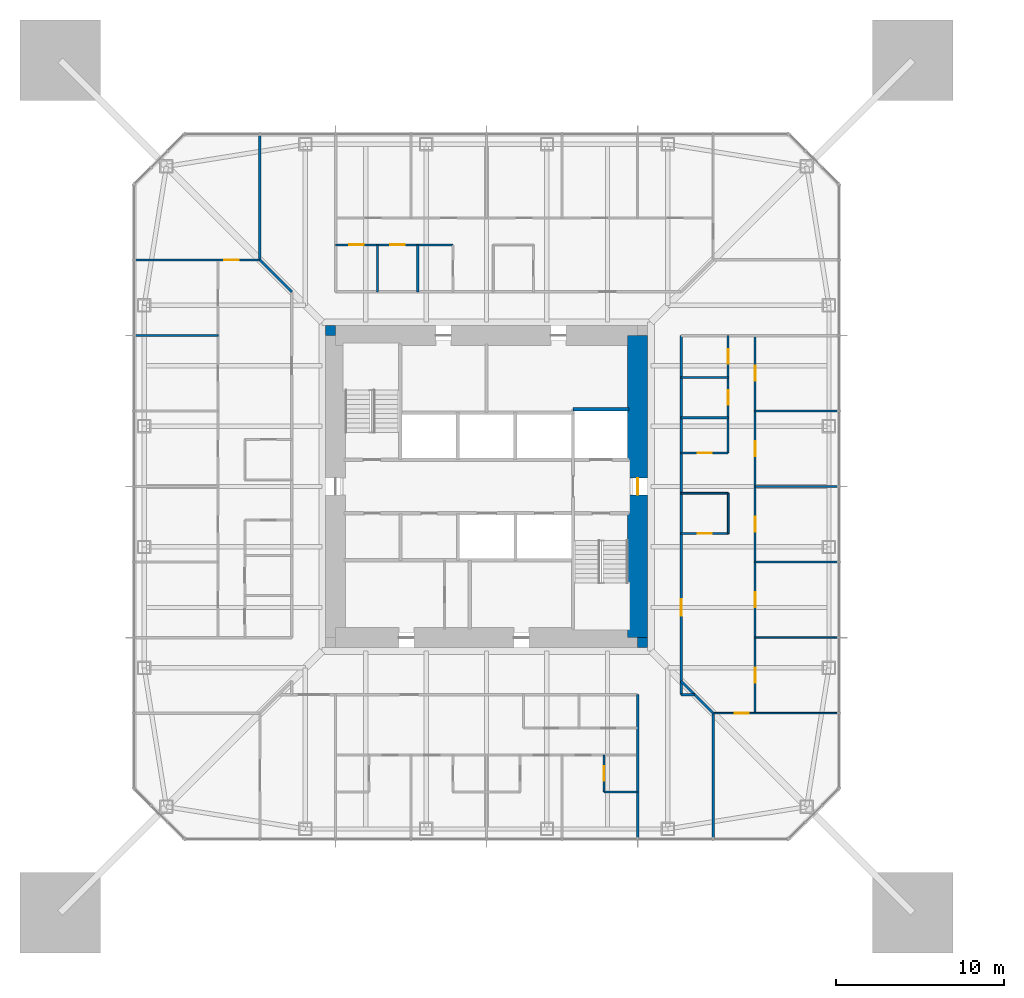
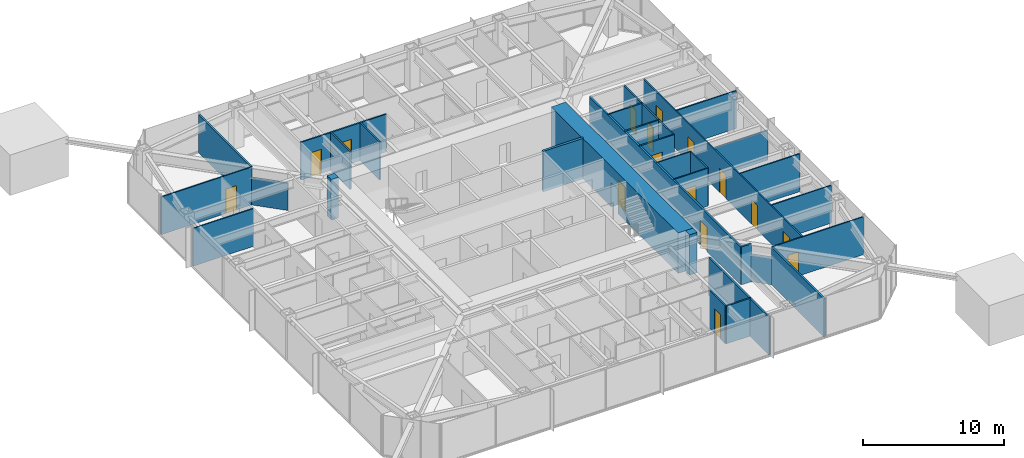
# One storey, part 15 of 25: 31 walls, 16 doors, 16 openings.
"""IFC4 building model written with IfcOpenShell, lengths in metres."""

from ifc_helpers import new_model, si_unit, direction, frame, frame_2d, origin, place, context, subcontext, project, spatial, rectangle, extrude, material, layer, layer_set, type_object, element, fill, save


model = new_model("IFC4")

# Units and contexts
model_context = context("Model", 3, precision=1e-05, world=origin(), true_north=direction((0.0, 1.0)))
body_context = subcontext(model_context, "Body", "Model", "MODEL_VIEW")
ifc_project = project(units=[si_unit("LENGTHUNIT", "METRE"), si_unit("AREAUNIT", "SQUARE_METRE"), si_unit("VOLUMEUNIT", "CUBIC_METRE"), si_unit("PLANEANGLEUNIT", "RADIAN"), si_unit("MASSUNIT", "GRAM", prefix="KILO")], contexts=[model_context])

# Site, building, storey
site_placement = place(None, origin())
site = spatial("IfcSite", under=ifc_project, at=site_placement, CompositionType="ELEMENT")
building_placement = place(site_placement, origin())
building = spatial("IfcBuilding", under=site, at=building_placement, Name="Iwan Alto Co-Living Towers", CompositionType="ELEMENT")
storey_placement = place(building_placement, frame((0.0, 0.0, 87.5)))
storey = spatial("IfcBuildingStorey", under=building, at=storey_placement, Name="L23", CompositionType="ELEMENT", Elevation=87.5)

# Walls
ifc_material_1 = material(Name="Gypsum board")
ifc_layer_1 = layer(ifc_material_1, 0.02490234375, Name="Board", Category="Finish")
ifc_material_2 = material(Name="Steel ASTM A1003 ST33H cold-formed studs", Category="steel")
ifc_layer_2 = layer(ifc_material_2, 0.10009765625, Name="Studs", Category="Framing")
ifc_layer_3 = layer(ifc_material_1, 0.02490234375, Name="Board", Category="Finish")
ifc_layer_set_1 = layer_set([ifc_layer_1, ifc_layer_2, ifc_layer_3], Name="CORRIDOR WALL 150")
wall_type_1 = type_object("IfcWallType", Name="CORRIDOR WALL 150", PredefinedType="PARTITIONING", material=ifc_layer_set_1)
wall_1_placement = place(storey_placement, frame((11.60009765625, -12.39990234375, 0.0), z_axis=(0.0, 0.0, 1.0), x_axis=(1.0, 0.0, 0.0)))
element("IfcWall", 1, at=wall_1_placement, inside=storey, type_object=wall_type_1, Name="Partition L23", PredefinedType="PARTITIONING", context=body_context, shape_type="SweptSolid", body=[
    extrude(rectangle(XDim=0.7998046875, YDim=0.14990234375, at=frame_2d((0.39990234375, 0.0))), origin(), (0.0, 0.0, 1.0), 3.27001953125),
])
wall_2_placement = place(storey_placement, frame((13.5, -20.93994140625, 0.0), z_axis=(0.0, 0.0, 1.0), x_axis=(0.0, 1.0, 0.0)))
element("IfcWall", 2, at=wall_2_placement, inside=storey, type_object=wall_type_1, Name="Partition L23", PredefinedType="PARTITIONING", context=body_context, shape_type="SweptSolid", body=[
    extrude(rectangle(XDim=7.43994140625, YDim=0.14990234375, at=frame_2d((3.719970703125, 0.0))), origin(), (0.0, 0.0, 1.0), 3.27001953125),
])

# Wall, opening, door
wall_3_placement = place(storey_placement, frame((11.60009765625, -12.39990234375, 0.0), z_axis=(0.0, 0.0, 1.0), x_axis=(0.0, 1.0, 0.0)))
wall_3 = element("IfcWall", 3, at=wall_3_placement, inside=storey, type_object=wall_type_1, Name="Partition L23", PredefinedType="PARTITIONING", context=body_context, shape_type="SweptSolid", body=[
    extrude(rectangle(XDim=21.39990234375, YDim=0.14990234375, at=frame_2d((10.699951171875, 0.0))), origin(), (0.0, 0.0, 1.0), 3.27001953125),
])
opening_1_placement = place(wall_3_placement, frame((4.699951171875, 0.0, 0.0)))
opening_1 = element("IfcOpeningElement", 4, at=opening_1_placement, cuts=wall_3, Name="Opening D3", PredefinedType="OPENING", context=body_context, shape_type="SweptSolid", body=[
    extrude(rectangle(XDim=1.0, YDim=2.10009765625, at=frame_2d((0.5, 1.050048828125))), frame((0.0, 0.0849609375, 0.0), z_axis=(0.0, -1.0, 0.0), x_axis=(1.0, 0.0, 0.0)), (0.0, 0.0, 1.0), 0.169921875),
])
ifc_material_3 = material(Name="Steel frame with timber leaf", Category="steel")
door_type_1 = type_object("IfcDoorType", Name="FLAT ENTRANCE DOOR FD30S 1000X2100", OperationType="SINGLE_SWING_LEFT", PredefinedType="DOOR", material=ifc_material_3)
door_1_placement = place(opening_1_placement, frame((1.0, 0.0, 0.0), z_axis=(0.0, 0.0, 1.0), x_axis=(-1.0, 0.0, 0.0)))
door_1 = element("IfcDoor", 5, at=door_1_placement, inside=storey, type_object=door_type_1, Name="Cluster lounge door L23", OperationType="SINGLE_SWING_LEFT", OverallHeight=2.10009765625, OverallWidth=1.0, PredefinedType="DOOR", context=body_context, shape_type="SweptSolid", body=[
    extrude(rectangle(XDim=1.0, YDim=2.10009765625, at=frame_2d((0.5, 1.050048828125))), frame((0.0, 0.02490234375, 0.0), z_axis=(0.0, -1.0, 0.0), x_axis=(1.0, 0.0, 0.0)), (0.0, 0.0, 1.0), 0.050048828125),
])
fill(opening_1, door_1)

# Walls
wall_4_placement = place(storey_placement, frame((9.0, -20.93994140625, 0.0), z_axis=(0.0, 0.0, 1.0), x_axis=(0.0, 1.0, 0.0)))
element("IfcWall", 6, at=wall_4_placement, inside=storey, type_object=wall_type_1, Name="Partition L23", PredefinedType="PARTITIONING", context=body_context, shape_type="SweptSolid", body=[
    extrude(rectangle(XDim=8.5400390625, YDim=0.14990234375, at=frame_2d((4.27001953125, 0.0))), origin(), (0.0, 0.0, 1.0), 3.27001953125),
])
wall_5_placement = place(storey_placement, frame((-13.5, 13.5, 0.0), z_axis=(0.0, 0.0, 1.0), x_axis=(0.0, 1.0, 0.0)))
element("IfcWall", 7, at=wall_5_placement, inside=storey, type_object=wall_type_1, Name="Partition L23", PredefinedType="PARTITIONING", context=body_context, shape_type="SweptSolid", body=[
    extrude(rectangle(XDim=7.43994140625, YDim=0.14990234375, at=frame_2d((3.719970703125, 0.0))), origin(), (0.0, 0.0, 1.0), 3.27001953125),
])
for number, where, z_axis, x_axis, name in (
    (8, (13.5, -13.5, 0.0), (0.0, 0.0, 1.0), (-0.707106781187, 0.707106781187, 0.0), "Partition L23"),
    (9, (-11.60009765625, 11.60009765625, 0.0), (0.0, 0.0, 1.0), (-0.707106781187, 0.707106781187, 0.0), "Partition L23"),
):
    element("IfcWall", number, at=place(storey_placement, frame(where, z_axis=z_axis, x_axis=x_axis)), inside=storey, type_object=wall_type_1, Name=name, PredefinedType="PARTITIONING", context=body_context, shape_type="SweptSolid", body=[
        extrude(rectangle(XDim=2.686767578125, YDim=0.14990234375, at=frame_2d((1.34326171875, 0.0))), origin(), (0.0, 0.0, 1.0), 2.343017578125),
    ])

# Wall, opening, door
ifc_layer_4 = layer(ifc_material_1, 0.012451171875, Name="Board", Category="Finish")
ifc_layer_5 = layer(ifc_material_2, 0.074951171875, Name="Studs", Category="Framing")
ifc_layer_6 = layer(ifc_material_1, 0.012451171875, Name="Board", Category="Finish")
ifc_layer_set_2 = layer_set([ifc_layer_4, ifc_layer_5, ifc_layer_6], Name="PARTITION 100")
wall_type_2 = type_object("IfcWallType", Name="PARTITION 100", PredefinedType="PARTITIONING", material=ifc_layer_set_2)
wall_6_placement = place(storey_placement, frame((13.5, -13.5, 0.0), z_axis=(0.0, 0.0, 1.0), x_axis=(1.0, 0.0, 0.0)))
wall_6 = element("IfcWall", 10, at=wall_6_placement, inside=storey, type_object=wall_type_2, Name="Partition L23", PredefinedType="PARTITIONING", context=body_context, shape_type="SweptSolid", body=[
    extrude(rectangle(XDim=7.43994140625, YDim=0.10009765625, at=frame_2d((3.719970703125, 0.0))), origin(), (0.0, 0.0, 1.0), 3.27001953125),
])
opening_2_placement = place(wall_6_placement, frame((1.27490234375, 0.0, 0.0)))
opening_2 = element("IfcOpeningElement", 11, at=opening_2_placement, cuts=wall_6, Name="Opening D2", PredefinedType="OPENING", context=body_context, shape_type="SweptSolid", body=[
    extrude(rectangle(XDim=0.85009765625, YDim=2.10009765625, at=frame_2d((0.425048828125, 1.050048828125))), frame((0.0, 0.06005859375, 0.0), z_axis=(0.0, -1.0, 0.0), x_axis=(1.0, 0.0, 0.0)), (0.0, 0.0, 1.0), 0.1201171875),
])
ifc_material_4 = material(Name="Timber leaf in steel frame", Category="steel")
door_type_2 = type_object("IfcDoorType", Name="ROOM DOOR 850X2100", OperationType="SINGLE_SWING_LEFT", PredefinedType="DOOR", material=ifc_material_4)
door_2_placement = place(opening_2_placement, origin())
door_2 = element("IfcDoor", 12, at=door_2_placement, inside=storey, type_object=door_type_2, Name="Shared kitchen and lounge door L23", OperationType="SINGLE_SWING_RIGHT", OverallHeight=2.10009765625, OverallWidth=0.85009765625, PredefinedType="DOOR", context=body_context, shape_type="SweptSolid", body=[
    extrude(rectangle(XDim=0.85009765625, YDim=2.10009765625, at=frame_2d((0.425048828125, 1.050048828125))), frame((0.0, 0.02490234375, 0.0), z_axis=(0.0, -1.0, 0.0), x_axis=(1.0, 0.0, 0.0)), (0.0, 0.0, 1.0), 0.050048828125),
])
fill(opening_2, door_2)

# Walls
for number, where, z_axis, x_axis, name in (
    (13, (16.0, -9.0, 0.0), (0.0, 0.0, 1.0), (1.0, 0.0, 0.0), "Partition L23"),
    (14, (16.0, -4.5, 0.0), (0.0, 0.0, 1.0), (1.0, 0.0, 0.0), "Partition L23"),
):
    element("IfcWall", number, at=place(storey_placement, frame(where, z_axis=z_axis, x_axis=x_axis)), inside=storey, type_object=wall_type_2, Name=name, PredefinedType="PARTITIONING", context=body_context, shape_type="SweptSolid", body=[
        extrude(rectangle(XDim=4.93994140625, YDim=0.10009765625, at=frame_2d((2.469970703125, 0.0))), origin(), (0.0, 0.0, 1.0), 3.27001953125),
    ])

# Wall, opening, door
wall_7_placement = place(storey_placement, frame((11.60009765625, -2.800048828125, 0.0), z_axis=(0.0, 0.0, 1.0), x_axis=(1.0, 0.0, 0.0)))
wall_7 = element("IfcWall", 15, at=wall_7_placement, inside=storey, type_object=wall_type_2, Name="Partition L23", PredefinedType="PARTITIONING", context=body_context, shape_type="SweptSolid", body=[
    extrude(rectangle(XDim=2.7998046875, YDim=0.10009765625, at=frame_2d((1.39990234375, 0.0))), origin(), (0.0, 0.0, 1.0), 3.27001953125),
])
opening_3_placement = place(wall_7_placement, frame((0.97509765625, 0.0, 0.0)))
opening_3 = element("IfcOpeningElement", 16, at=opening_3_placement, cuts=wall_7, Name="Opening D2", PredefinedType="OPENING", context=body_context, shape_type="SweptSolid", body=[
    extrude(rectangle(XDim=0.85009765625, YDim=2.10009765625, at=frame_2d((0.425048828125, 1.050048828125))), frame((0.0, 0.06005859375, 0.0), z_axis=(0.0, -1.0, 0.0), x_axis=(1.0, 0.0, 0.0)), (0.0, 0.0, 1.0), 0.1201171875),
])
door_3_placement = place(opening_3_placement, frame((0.85009765625, 0.0, 0.0), z_axis=(0.0, 0.0, 1.0), x_axis=(-1.0, 0.0, 0.0)))
door_3 = element("IfcDoor", 17, at=door_3_placement, inside=storey, type_object=door_type_2, Name="Store room door L23", OperationType="SINGLE_SWING_RIGHT", OverallHeight=2.10009765625, OverallWidth=0.85009765625, PredefinedType="DOOR", context=body_context, shape_type="SweptSolid", body=[
    extrude(rectangle(XDim=0.85009765625, YDim=2.10009765625, at=frame_2d((0.425048828125, 1.050048828125))), frame((0.0, 0.02490234375, 0.0), z_axis=(0.0, -1.0, 0.0), x_axis=(1.0, 0.0, 0.0)), (0.0, 0.0, 1.0), 0.050048828125),
])
fill(opening_3, door_3)

# Walls
wall_8_placement = place(storey_placement, frame((11.60009765625, -0.39990234375, 0.0), z_axis=(0.0, 0.0, 1.0), x_axis=(1.0, 0.0, 0.0)))
element("IfcWall", 18, at=wall_8_placement, inside=storey, type_object=wall_type_2, Name="Partition L23", PredefinedType="PARTITIONING", context=body_context, shape_type="SweptSolid", body=[
    extrude(rectangle(XDim=2.7998046875, YDim=0.10009765625, at=frame_2d((1.39990234375, 0.0))), origin(), (0.0, 0.0, 1.0), 3.27001953125),
])
wall_9_placement = place(storey_placement, frame((16.0, 0.0, 0.0), z_axis=(0.0, 0.0, 1.0), x_axis=(1.0, 0.0, 0.0)))
element("IfcWall", 19, at=wall_9_placement, inside=storey, type_object=wall_type_2, Name="Partition L23", PredefinedType="PARTITIONING", context=body_context, shape_type="SweptSolid", body=[
    extrude(rectangle(XDim=4.93994140625, YDim=0.10009765625, at=frame_2d((2.469970703125, 0.0))), origin(), (0.0, 0.0, 1.0), 2.586669921875),
])
for number, where, z_axis, x_axis, name in (
    (20, (16.0, 4.5, 0.0), (0.0, 0.0, 1.0), (1.0, 0.0, 0.0), "Partition L23"),
    (21, (-20.93994140625, 9.0, 0.0), (0.0, 0.0, 1.0), (1.0, 0.0, 0.0), "Partition L23"),
):
    element("IfcWall", number, at=place(storey_placement, frame(where, z_axis=z_axis, x_axis=x_axis)), inside=storey, type_object=wall_type_2, Name=name, PredefinedType="PARTITIONING", context=body_context, shape_type="SweptSolid", body=[
        extrude(rectangle(XDim=4.93994140625, YDim=0.10009765625, at=frame_2d((2.469970703125, 0.0))), origin(), (0.0, 0.0, 1.0), 3.27001953125),
    ])

# Wall, opening, door
wall_10_placement = place(storey_placement, frame((-20.93994140625, 13.5, 0.0), z_axis=(0.0, 0.0, 1.0), x_axis=(1.0, 0.0, 0.0)))
wall_10 = element("IfcWall", 22, at=wall_10_placement, inside=storey, type_object=wall_type_2, Name="Partition L23", PredefinedType="PARTITIONING", context=body_context, shape_type="SweptSolid", body=[
    extrude(rectangle(XDim=7.43994140625, YDim=0.10009765625, at=frame_2d((3.719970703125, 0.0))), origin(), (0.0, 0.0, 1.0), 3.27001953125),
])
opening_4_placement = place(wall_10_placement, frame((5.31494140625, 0.0, 0.0)))
opening_4 = element("IfcOpeningElement", 23, at=opening_4_placement, cuts=wall_10, Name="Opening D2", PredefinedType="OPENING", context=body_context, shape_type="SweptSolid", body=[
    extrude(rectangle(XDim=0.85009765625, YDim=2.10009765625, at=frame_2d((0.425048828125, 1.050048828125))), frame((0.0, 0.06005859375, 0.0), z_axis=(0.0, -1.0, 0.0), x_axis=(1.0, 0.0, 0.0)), (0.0, 0.0, 1.0), 0.1201171875),
])
door_4_placement = place(opening_4_placement, frame((0.85009765625, 0.0, 0.0), z_axis=(0.0, 0.0, 1.0), x_axis=(-1.0, 0.0, 0.0)))
door_4 = element("IfcDoor", 24, at=door_4_placement, inside=storey, type_object=door_type_2, Name="Shared kitchen and lounge door L23", OperationType="SINGLE_SWING_RIGHT", OverallHeight=2.10009765625, OverallWidth=0.85009765625, PredefinedType="DOOR", context=body_context, shape_type="SweptSolid", body=[
    extrude(rectangle(XDim=0.85009765625, YDim=2.10009765625, at=frame_2d((0.425048828125, 1.050048828125))), frame((0.0, 0.02490234375, 0.0), z_axis=(0.0, -1.0, 0.0), x_axis=(1.0, 0.0, 0.0)), (0.0, 0.0, 1.0), 0.050048828125),
])
fill(opening_4, door_4)

# Wall, openings, doors
wall_11_placement = place(storey_placement, frame((16.0, -13.5, 0.0), z_axis=(0.0, 0.0, 1.0), x_axis=(0.0, 1.0, 0.0)))
wall_11 = element("IfcWall", 25, at=wall_11_placement, inside=storey, type_object=wall_type_2, Name="Partition L23", PredefinedType="PARTITIONING", context=body_context, shape_type="SweptSolid", body=[
    extrude(rectangle(XDim=22.5, YDim=0.10009765625, at=frame_2d((11.25, 0.0))), origin(), (0.0, 0.0, 1.0), 3.27001953125),
])
opening_5_placement = place(wall_11_placement, frame((1.800048828125, 0.0, 0.0)))
opening_5 = element("IfcOpeningElement", 26, at=opening_5_placement, cuts=wall_11, Name="Opening D1", PredefinedType="OPENING", context=body_context, shape_type="SweptSolid", body=[
    extrude(rectangle(XDim=0.89990234375, YDim=2.10009765625, at=frame_2d((0.449951171875, 1.050048828125))), frame((0.0, 0.06005859375, 0.0), z_axis=(0.0, -1.0, 0.0), x_axis=(1.0, 0.0, 0.0)), (0.0, 0.0, 1.0), 0.1201171875),
])
opening_6_placement = place(wall_11_placement, frame((6.300048828125, 0.0, 0.0)))
opening_6 = element("IfcOpeningElement", 27, at=opening_6_placement, cuts=wall_11, Name="Opening D1", PredefinedType="OPENING", context=body_context, shape_type="SweptSolid", body=[
    extrude(rectangle(XDim=0.89990234375, YDim=2.10009765625, at=frame_2d((0.449951171875, 1.050048828125))), frame((0.0, 0.06005859375, 0.0), z_axis=(0.0, -1.0, 0.0), x_axis=(1.0, 0.0, 0.0)), (0.0, 0.0, 1.0), 0.1201171875),
])
opening_7_placement = place(wall_11_placement, frame((10.800048828125, 0.0, 0.0)))
opening_7 = element("IfcOpeningElement", 28, at=opening_7_placement, cuts=wall_11, Name="Opening D1", PredefinedType="OPENING", context=body_context, shape_type="SweptSolid", body=[
    extrude(rectangle(XDim=0.89990234375, YDim=2.10009765625, at=frame_2d((0.449951171875, 1.050048828125))), frame((0.0, 0.06005859375, 0.0), z_axis=(0.0, -1.0, 0.0), x_axis=(1.0, 0.0, 0.0)), (0.0, 0.0, 1.0), 0.1201171875),
])
opening_8_placement = place(wall_11_placement, frame((15.300048828125, 0.0, 0.0)))
opening_8 = element("IfcOpeningElement", 29, at=opening_8_placement, cuts=wall_11, Name="Opening D1", PredefinedType="OPENING", context=body_context, shape_type="SweptSolid", body=[
    extrude(rectangle(XDim=0.89990234375, YDim=2.10009765625, at=frame_2d((0.449951171875, 1.050048828125))), frame((0.0, 0.06005859375, 0.0), z_axis=(0.0, -1.0, 0.0), x_axis=(1.0, 0.0, 0.0)), (0.0, 0.0, 1.0), 0.1201171875),
])
opening_9_placement = place(wall_11_placement, frame((19.800048828125, 0.0, 0.0)))
opening_9 = element("IfcOpeningElement", 30, at=opening_9_placement, cuts=wall_11, Name="Opening D1", PredefinedType="OPENING", context=body_context, shape_type="SweptSolid", body=[
    extrude(rectangle(XDim=0.89990234375, YDim=2.10009765625, at=frame_2d((0.449951171875, 1.050048828125))), frame((0.0, 0.06005859375, 0.0), z_axis=(0.0, -1.0, 0.0), x_axis=(1.0, 0.0, 0.0)), (0.0, 0.0, 1.0), 0.1201171875),
])
ifc_material_5 = material(Name="Timber leaf in steel frame", Category="steel")
door_type_3 = type_object("IfcDoorType", Name="BEDROOM DOOR 900X2100", OperationType="SINGLE_SWING_LEFT", PredefinedType="DOOR", material=ifc_material_5)
door_5_placement = place(opening_5_placement, origin())
door_5 = element("IfcDoor", 31, at=door_5_placement, inside=storey, type_object=door_type_3, Name="Study bedroom door L23", OperationType="SINGLE_SWING_LEFT", OverallHeight=2.10009765625, OverallWidth=0.89990234375, PredefinedType="DOOR", context=body_context, shape_type="SweptSolid", body=[
    extrude(rectangle(XDim=0.89990234375, YDim=2.10009765625, at=frame_2d((0.449951171875, 1.050048828125))), frame((0.0, 0.02490234375, 0.0), z_axis=(0.0, -1.0, 0.0), x_axis=(1.0, 0.0, 0.0)), (0.0, 0.0, 1.0), 0.050048828125),
])
fill(opening_5, door_5)
door_6_placement = place(opening_6_placement, origin())
door_6 = element("IfcDoor", 32, at=door_6_placement, inside=storey, type_object=door_type_3, Name="Study bedroom door L23", OperationType="SINGLE_SWING_LEFT", OverallHeight=2.10009765625, OverallWidth=0.89990234375, PredefinedType="DOOR", context=body_context, shape_type="SweptSolid", body=[
    extrude(rectangle(XDim=0.89990234375, YDim=2.10009765625, at=frame_2d((0.449951171875, 1.050048828125))), frame((0.0, 0.02490234375, 0.0), z_axis=(0.0, -1.0, 0.0), x_axis=(1.0, 0.0, 0.0)), (0.0, 0.0, 1.0), 0.050048828125),
])
fill(opening_6, door_6)
door_7_placement = place(opening_7_placement, origin())
door_7 = element("IfcDoor", 33, at=door_7_placement, inside=storey, type_object=door_type_3, Name="Study bedroom door L23", OperationType="SINGLE_SWING_LEFT", OverallHeight=2.10009765625, OverallWidth=0.89990234375, PredefinedType="DOOR", context=body_context, shape_type="SweptSolid", body=[
    extrude(rectangle(XDim=0.89990234375, YDim=2.10009765625, at=frame_2d((0.449951171875, 1.050048828125))), frame((0.0, 0.02490234375, 0.0), z_axis=(0.0, -1.0, 0.0), x_axis=(1.0, 0.0, 0.0)), (0.0, 0.0, 1.0), 0.050048828125),
])
fill(opening_7, door_7)
door_8_placement = place(opening_8_placement, origin())
door_8 = element("IfcDoor", 34, at=door_8_placement, inside=storey, type_object=door_type_3, Name="Study bedroom door L23", OperationType="SINGLE_SWING_RIGHT", OverallHeight=2.10009765625, OverallWidth=0.89990234375, PredefinedType="DOOR", context=body_context, shape_type="SweptSolid", body=[
    extrude(rectangle(XDim=0.89990234375, YDim=2.10009765625, at=frame_2d((0.449951171875, 1.050048828125))), frame((0.0, 0.02490234375, 0.0), z_axis=(0.0, -1.0, 0.0), x_axis=(1.0, 0.0, 0.0)), (0.0, 0.0, 1.0), 0.050048828125),
])
fill(opening_8, door_8)
door_9_placement = place(opening_9_placement, origin())
door_9 = element("IfcDoor", 35, at=door_9_placement, inside=storey, type_object=door_type_3, Name="Study bedroom door L23", OperationType="SINGLE_SWING_RIGHT", OverallHeight=2.10009765625, OverallWidth=0.89990234375, PredefinedType="DOOR", context=body_context, shape_type="SweptSolid", body=[
    extrude(rectangle(XDim=0.89990234375, YDim=2.10009765625, at=frame_2d((0.449951171875, 1.050048828125))), frame((0.0, 0.02490234375, 0.0), z_axis=(0.0, -1.0, 0.0), x_axis=(1.0, 0.0, 0.0)), (0.0, 0.0, 1.0), 0.050048828125),
])
fill(opening_9, door_9)

# Walls
wall_12_placement = place(storey_placement, frame((14.39990234375, -2.800048828125, 0.0), z_axis=(0.0, 0.0, 1.0), x_axis=(0.0, 1.0, 0.0)))
element("IfcWall", 36, at=wall_12_placement, inside=storey, type_object=wall_type_2, Name="Partition L23", PredefinedType="PARTITIONING", context=body_context, shape_type="SweptSolid", body=[
    extrude(rectangle(XDim=2.400146484375, YDim=0.10009765625, at=frame_2d((1.2001953125, 0.0))), origin(), (0.0, 0.0, 1.0), 3.27001953125),
])
ifc_material_6 = material(Name="Concrete f'c 70 MPa", Category="concrete")
ifc_layer_7 = layer(ifc_material_6, 0.199951171875)
ifc_layer_set_3 = layer_set([ifc_layer_7], Name="SHAFT WALL 200")
wall_type_3 = type_object("IfcWallType", Name="SHAFT WALL 200", PredefinedType="SOLIDWALL", material=ifc_layer_set_3)
wall_13_placement = place(storey_placement, frame((5.14990234375, 4.60009765625, 0.0), z_axis=(0.0, 0.0, 1.0), x_axis=(1.0, 0.0, 0.0)))
element("IfcWall", 37, at=wall_13_placement, inside=storey, type_object=wall_type_3, Name="Shaft wall L23", PredefinedType="SOLIDWALL", context=body_context, shape_type="SweptSolid", body=[
    extrude(rectangle(XDim=3.340087890625, YDim=0.199951171875, at=frame_2d((1.669921875, 0.0))), origin(), (0.0, 0.0, 1.0), 3.5),
])
ifc_material_7 = material(Name="Concrete f'c 70 MPa", Category="concrete")
ifc_layer_8 = layer(ifc_material_7, 0.60009765625)
ifc_layer_set_4 = layer_set([ifc_layer_8], Name="T1 CORE CORNER FILL 600")
wall_type_4 = type_object("IfcWallType", Name="T1 CORE CORNER FILL 600", PredefinedType="SOLIDWALL", material=ifc_layer_set_4)
for number, where, z_axis, x_axis, name in (
    (38, (9.0, -9.300048828125, 0.0), (0.0, 0.0, 1.0), (1.0, 0.0, 0.0), "T1 core corner SE L23"),
    (39, (-9.60009765625, 9.300048828125, 0.0), (0.0, 0.0, 1.0), (1.0, 0.0, 0.0), "T1 core corner NW L23"),
):
    element("IfcWall", number, at=place(storey_placement, frame(where, z_axis=z_axis, x_axis=x_axis)), inside=storey, type_object=wall_type_4, Name=name, PredefinedType="SOLIDWALL", context=body_context, shape_type="SweptSolid", body=[
        extrude(rectangle(XDim=0.60009765625, YDim=0.60009765625, at=frame_2d((0.300048828125, 0.0))), origin(), (0.0, 0.0, 1.0), 3.5),
    ])

# Wall, opening, door
ifc_material_8 = material(Name="Concrete f'c 70 MPa", Category="concrete")
ifc_layer_9 = layer(ifc_material_8, 1.199951171875)
ifc_layer_set_5 = layer_set([ifc_layer_9], Name="T1 CORE WALL 1200")
wall_type_5 = type_object("IfcWallType", Name="T1 CORE WALL 1200", PredefinedType="SHEAR", material=ifc_layer_set_5)
wall_14_placement = place(storey_placement, frame((9.0, -9.0, 0.0), z_axis=(0.0, 0.0, 1.0), x_axis=(0.0, 1.0, 0.0)))
wall_14 = element("IfcWall", 40, at=wall_14_placement, inside=storey, type_object=wall_type_5, Name="T1 core wall E L23", PredefinedType="SHEAR", context=body_context, shape_type="SweptSolid", body=[
    extrude(rectangle(XDim=18.0, YDim=1.199951171875, at=frame_2d((9.0, 0.0))), origin(), (0.0, 0.0, 1.0), 3.5),
])
opening_10_placement = place(wall_14_placement, frame((8.5, 0.0, 0.0)))
opening_10 = element("IfcOpeningElement", 41, at=opening_10_placement, cuts=wall_14, Name="Opening D7", PredefinedType="OPENING", context=body_context, shape_type="SweptSolid", body=[
    extrude(rectangle(XDim=1.0, YDim=2.10009765625, at=frame_2d((0.5, 1.050048828125))), frame((0.0, 0.60986328125, 0.0), z_axis=(0.0, -1.0, 0.0), x_axis=(1.0, 0.0, 0.0)), (0.0, 0.0, 1.0), 1.219970703125),
])
ifc_material_9 = material(Name="Steel frame with timber leaf", Category="steel")
door_type_4 = type_object("IfcDoorType", Name="CORE DOOR FD120S 1000X2100", OperationType="SINGLE_SWING_LEFT", PredefinedType="DOOR", material=ifc_material_9)
door_10_placement = place(opening_10_placement, origin())
door_10 = element("IfcDoor", 42, at=door_10_placement, inside=storey, type_object=door_type_4, Name="Firefighting lobby core door L23", OperationType="SINGLE_SWING_LEFT", OverallHeight=2.10009765625, OverallWidth=1.0, PredefinedType="DOOR", context=body_context, shape_type="SweptSolid", body=[
    extrude(rectangle(XDim=1.0, YDim=2.10009765625, at=frame_2d((0.5, 1.050048828125))), frame((0.0, 0.02490234375, 0.0), z_axis=(0.0, -1.0, 0.0), x_axis=(1.0, 0.0, 0.0)), (0.0, 0.0, 1.0), 0.050048828125),
])
fill(opening_10, door_10)

# Wall
ifc_material_10 = material(Name="Cement board")
ifc_layer_10 = layer(ifc_material_10, 0.012451171875, Name="Board", Category="Finish")
ifc_layer_11 = layer(ifc_material_2, 0.094970703125, Name="Studs", Category="Framing")
ifc_layer_12 = layer(ifc_material_10, 0.012451171875, Name="Board", Category="Finish")
ifc_layer_set_6 = layer_set([ifc_layer_10, ifc_layer_11, ifc_layer_12], Name="WET AREA PARTITION 120")
wall_type_6 = type_object("IfcWallType", Name="WET AREA PARTITION 120", PredefinedType="PARTITIONING", material=ifc_layer_set_6)
wall_15_placement = place(storey_placement, frame((7.0, -18.199951171875, 0.0), z_axis=(0.0, 0.0, 1.0), x_axis=(1.0, 0.0, 0.0)))
element("IfcWall", 43, at=wall_15_placement, inside=storey, type_object=wall_type_6, Name="Partition L23", PredefinedType="PARTITIONING", context=body_context, shape_type="SweptSolid", body=[
    extrude(rectangle(XDim=2.0, YDim=0.1201171875, at=frame_2d((1.0, 0.0))), origin(), (0.0, 0.0, 1.0), 3.27001953125),
])

# Wall, opening, door
wall_16_placement = place(storey_placement, frame((11.60009765625, 2.0, 0.0), z_axis=(0.0, 0.0, 1.0), x_axis=(1.0, 0.0, 0.0)))
wall_16 = element("IfcWall", 44, at=wall_16_placement, inside=storey, type_object=wall_type_6, Name="Partition L23", PredefinedType="PARTITIONING", context=body_context, shape_type="SweptSolid", body=[
    extrude(rectangle(XDim=2.7998046875, YDim=0.1201171875, at=frame_2d((1.39990234375, 0.0))), origin(), (0.0, 0.0, 1.0), 3.27001953125),
])
opening_11_placement = place(wall_16_placement, frame((0.97509765625, 0.0, 0.0)))
opening_11 = element("IfcOpeningElement", 45, at=opening_11_placement, cuts=wall_16, Name="Opening D2", PredefinedType="OPENING", context=body_context, shape_type="SweptSolid", body=[
    extrude(rectangle(XDim=0.85009765625, YDim=2.10009765625, at=frame_2d((0.425048828125, 1.050048828125))), frame((0.0, 0.070068359375, 0.0), z_axis=(0.0, -1.0, 0.0), x_axis=(1.0, 0.0, 0.0)), (0.0, 0.0, 1.0), 0.14013671875),
])
door_11_placement = place(opening_11_placement, frame((0.85009765625, 0.0, 0.0), z_axis=(0.0, 0.0, 1.0), x_axis=(-1.0, 0.0, 0.0)))
door_11 = element("IfcDoor", 46, at=door_11_placement, inside=storey, type_object=door_type_2, Name="Bathroom door L23", OperationType="SINGLE_SWING_RIGHT", OverallHeight=2.10009765625, OverallWidth=0.85009765625, PredefinedType="DOOR", context=body_context, shape_type="SweptSolid", body=[
    extrude(rectangle(XDim=0.85009765625, YDim=2.10009765625, at=frame_2d((0.425048828125, 1.050048828125))), frame((0.0, 0.02490234375, 0.0), z_axis=(0.0, -1.0, 0.0), x_axis=(1.0, 0.0, 0.0)), (0.0, 0.0, 1.0), 0.050048828125),
])
fill(opening_11, door_11)

# Walls
for number, where, z_axis, x_axis, name in (
    (47, (11.60009765625, 4.10009765625, 0.0), (0.0, 0.0, 1.0), (1.0, 0.0, 0.0), "Partition L23"),
    (48, (11.60009765625, 6.5, 0.0), (0.0, 0.0, 1.0), (1.0, 0.0, 0.0), "Partition L23"),
):
    element("IfcWall", number, at=place(storey_placement, frame(where, z_axis=z_axis, x_axis=x_axis)), inside=storey, type_object=wall_type_6, Name=name, PredefinedType="PARTITIONING", context=body_context, shape_type="SweptSolid", body=[
        extrude(rectangle(XDim=2.7998046875, YDim=0.1201171875, at=frame_2d((1.39990234375, 0.0))), origin(), (0.0, 0.0, 1.0), 3.27001953125),
    ])

# Wall, openings, doors
wall_17_placement = place(storey_placement, frame((-9.0, 14.39990234375, 0.0), z_axis=(0.0, 0.0, 1.0), x_axis=(1.0, 0.0, 0.0)))
wall_17 = element("IfcWall", 49, at=wall_17_placement, inside=storey, type_object=wall_type_6, Name="Partition L23", PredefinedType="PARTITIONING", context=body_context, shape_type="SweptSolid", body=[
    extrude(rectangle(XDim=7.0, YDim=0.1201171875, at=frame_2d((3.5, 0.0))), origin(), (0.0, 0.0, 1.0), 3.27001953125),
])
opening_12_placement = place(wall_17_placement, frame((3.27490234375, 0.0, 0.0)))
opening_12 = element("IfcOpeningElement", 50, at=opening_12_placement, cuts=wall_17, Name="Opening D2", PredefinedType="OPENING", context=body_context, shape_type="SweptSolid", body=[
    extrude(rectangle(XDim=0.85009765625, YDim=2.10009765625, at=frame_2d((0.425048828125, 1.050048828125))), frame((0.0, 0.070068359375, 0.0), z_axis=(0.0, -1.0, 0.0), x_axis=(1.0, 0.0, 0.0)), (0.0, 0.0, 1.0), 0.14013671875),
])
opening_13_placement = place(wall_17_placement, frame((0.824951171875, 0.0, 0.0)))
opening_13 = element("IfcOpeningElement", 51, at=opening_13_placement, cuts=wall_17, Name="Opening D2", PredefinedType="OPENING", context=body_context, shape_type="SweptSolid", body=[
    extrude(rectangle(XDim=0.85009765625, YDim=2.10009765625, at=frame_2d((0.425048828125, 1.050048828125))), frame((0.0, 0.070068359375, 0.0), z_axis=(0.0, -1.0, 0.0), x_axis=(1.0, 0.0, 0.0)), (0.0, 0.0, 1.0), 0.14013671875),
])
door_12_placement = place(opening_12_placement, origin())
door_12 = element("IfcDoor", 52, at=door_12_placement, inside=storey, type_object=door_type_2, Name="Accessible bathroom door L23", OperationType="SINGLE_SWING_LEFT", OverallHeight=2.10009765625, OverallWidth=0.85009765625, PredefinedType="DOOR", context=body_context, shape_type="SweptSolid", body=[
    extrude(rectangle(XDim=0.85009765625, YDim=2.10009765625, at=frame_2d((0.425048828125, 1.050048828125))), frame((0.0, 0.02490234375, 0.0), z_axis=(0.0, -1.0, 0.0), x_axis=(1.0, 0.0, 0.0)), (0.0, 0.0, 1.0), 0.050048828125),
])
fill(opening_12, door_12)
door_13_placement = place(opening_13_placement, origin())
door_13 = element("IfcDoor", 53, at=door_13_placement, inside=storey, type_object=door_type_2, Name="Laundry door L23", OperationType="SINGLE_SWING_LEFT", OverallHeight=2.10009765625, OverallWidth=0.85009765625, PredefinedType="DOOR", context=body_context, shape_type="SweptSolid", body=[
    extrude(rectangle(XDim=0.85009765625, YDim=2.10009765625, at=frame_2d((0.425048828125, 1.050048828125))), frame((0.0, 0.02490234375, 0.0), z_axis=(0.0, -1.0, 0.0), x_axis=(1.0, 0.0, 0.0)), (0.0, 0.0, 1.0), 0.050048828125),
])
fill(opening_13, door_13)

wall_18_placement = place(storey_placement, frame((14.39990234375, 2.0, 0.0), z_axis=(0.0, 0.0, 1.0), x_axis=(0.0, 1.0, 0.0)))
wall_18 = element("IfcWall", 54, at=wall_18_placement, inside=storey, type_object=wall_type_6, Name="Partition L23", PredefinedType="PARTITIONING", context=body_context, shape_type="SweptSolid", body=[
    extrude(rectangle(XDim=7.0, YDim=0.1201171875, at=frame_2d((3.5, 0.0))), origin(), (0.0, 0.0, 1.0), 3.27001953125),
])
opening_14_placement = place(wall_18_placement, frame((2.875, 0.0, 0.0)))
opening_14 = element("IfcOpeningElement", 55, at=opening_14_placement, cuts=wall_18, Name="Opening D2", PredefinedType="OPENING", context=body_context, shape_type="SweptSolid", body=[
    extrude(rectangle(XDim=0.85009765625, YDim=2.10009765625, at=frame_2d((0.425048828125, 1.050048828125))), frame((0.0, 0.070068359375, 0.0), z_axis=(0.0, -1.0, 0.0), x_axis=(1.0, 0.0, 0.0)), (0.0, 0.0, 1.0), 0.14013671875),
])
opening_15_placement = place(wall_18_placement, frame((5.324951171875, 0.0, 0.0)))
opening_15 = element("IfcOpeningElement", 56, at=opening_15_placement, cuts=wall_18, Name="Opening D2", PredefinedType="OPENING", context=body_context, shape_type="SweptSolid", body=[
    extrude(rectangle(XDim=0.85009765625, YDim=2.10009765625, at=frame_2d((0.425048828125, 1.050048828125))), frame((0.0, 0.070068359375, 0.0), z_axis=(0.0, -1.0, 0.0), x_axis=(1.0, 0.0, 0.0)), (0.0, 0.0, 1.0), 0.14013671875),
])
door_14_placement = place(opening_14_placement, frame((0.85009765625, 0.0, 0.0), z_axis=(0.0, 0.0, 1.0), x_axis=(-1.0, 0.0, 0.0)))
door_14 = element("IfcDoor", 57, at=door_14_placement, inside=storey, type_object=door_type_2, Name="Accessible bathroom door L23", OperationType="SINGLE_SWING_LEFT", OverallHeight=2.10009765625, OverallWidth=0.85009765625, PredefinedType="DOOR", context=body_context, shape_type="SweptSolid", body=[
    extrude(rectangle(XDim=0.85009765625, YDim=2.10009765625, at=frame_2d((0.425048828125, 1.050048828125))), frame((0.0, 0.02490234375, 0.0), z_axis=(0.0, -1.0, 0.0), x_axis=(1.0, 0.0, 0.0)), (0.0, 0.0, 1.0), 0.050048828125),
])
fill(opening_14, door_14)
door_15_placement = place(opening_15_placement, frame((0.85009765625, 0.0, 0.0), z_axis=(0.0, 0.0, 1.0), x_axis=(-1.0, 0.0, 0.0)))
door_15 = element("IfcDoor", 58, at=door_15_placement, inside=storey, type_object=door_type_2, Name="Laundry door L23", OperationType="SINGLE_SWING_LEFT", OverallHeight=2.10009765625, OverallWidth=0.85009765625, PredefinedType="DOOR", context=body_context, shape_type="SweptSolid", body=[
    extrude(rectangle(XDim=0.85009765625, YDim=2.10009765625, at=frame_2d((0.425048828125, 1.050048828125))), frame((0.0, 0.02490234375, 0.0), z_axis=(0.0, -1.0, 0.0), x_axis=(1.0, 0.0, 0.0)), (0.0, 0.0, 1.0), 0.050048828125),
])
fill(opening_15, door_15)

# Wall, opening, door
wall_19_placement = place(storey_placement, frame((7.0, -18.199951171875, 0.0), z_axis=(0.0, 0.0, 1.0), x_axis=(0.0, 1.0, 0.0)))
wall_19 = element("IfcWall", 59, at=wall_19_placement, inside=storey, type_object=wall_type_6, Name="Partition L23", PredefinedType="PARTITIONING", context=body_context, shape_type="SweptSolid", body=[
    extrude(rectangle(XDim=2.199951171875, YDim=0.1201171875, at=frame_2d((1.10009765625, 0.0))), origin(), (0.0, 0.0, 1.0), 3.27001953125),
])
opening_16_placement = place(wall_19_placement, frame((0.675048828125, 0.0, 0.0)))
opening_16 = element("IfcOpeningElement", 60, at=opening_16_placement, cuts=wall_19, Name="Opening D2", PredefinedType="OPENING", context=body_context, shape_type="SweptSolid", body=[
    extrude(rectangle(XDim=0.85009765625, YDim=2.10009765625, at=frame_2d((0.425048828125, 1.050048828125))), frame((0.0, 0.070068359375, 0.0), z_axis=(0.0, -1.0, 0.0), x_axis=(1.0, 0.0, 0.0)), (0.0, 0.0, 1.0), 0.14013671875),
])
door_16_placement = place(opening_16_placement, origin())
door_16 = element("IfcDoor", 61, at=door_16_placement, inside=storey, type_object=door_type_2, Name="En-suite shower room door L23", OperationType="SINGLE_SWING_RIGHT", OverallHeight=2.10009765625, OverallWidth=0.85009765625, PredefinedType="DOOR", context=body_context, shape_type="SweptSolid", body=[
    extrude(rectangle(XDim=0.85009765625, YDim=2.10009765625, at=frame_2d((0.425048828125, 1.050048828125))), frame((0.0, 0.02490234375, 0.0), z_axis=(0.0, -1.0, 0.0), x_axis=(1.0, 0.0, 0.0)), (0.0, 0.0, 1.0), 0.050048828125),
])
fill(opening_16, door_16)

# Walls
for number, where, z_axis, x_axis, name in (
    (62, (-4.10009765625, 11.60009765625, 0.0), (0.0, 0.0, 1.0), (0.0, 1.0, 0.0), "Partition L23"),
    (63, (-6.5, 11.60009765625, 0.0), (0.0, 0.0, 1.0), (0.0, 1.0, 0.0), "Partition L23"),
):
    element("IfcWall", number, at=place(storey_placement, frame(where, z_axis=z_axis, x_axis=x_axis)), inside=storey, type_object=wall_type_6, Name=name, PredefinedType="PARTITIONING", context=body_context, shape_type="SweptSolid", body=[
        extrude(rectangle(XDim=2.7998046875, YDim=0.1201171875, at=frame_2d((1.39990234375, 0.0))), origin(), (0.0, 0.0, 1.0), 3.27001953125),
    ])

save(model, "model.ifc")
